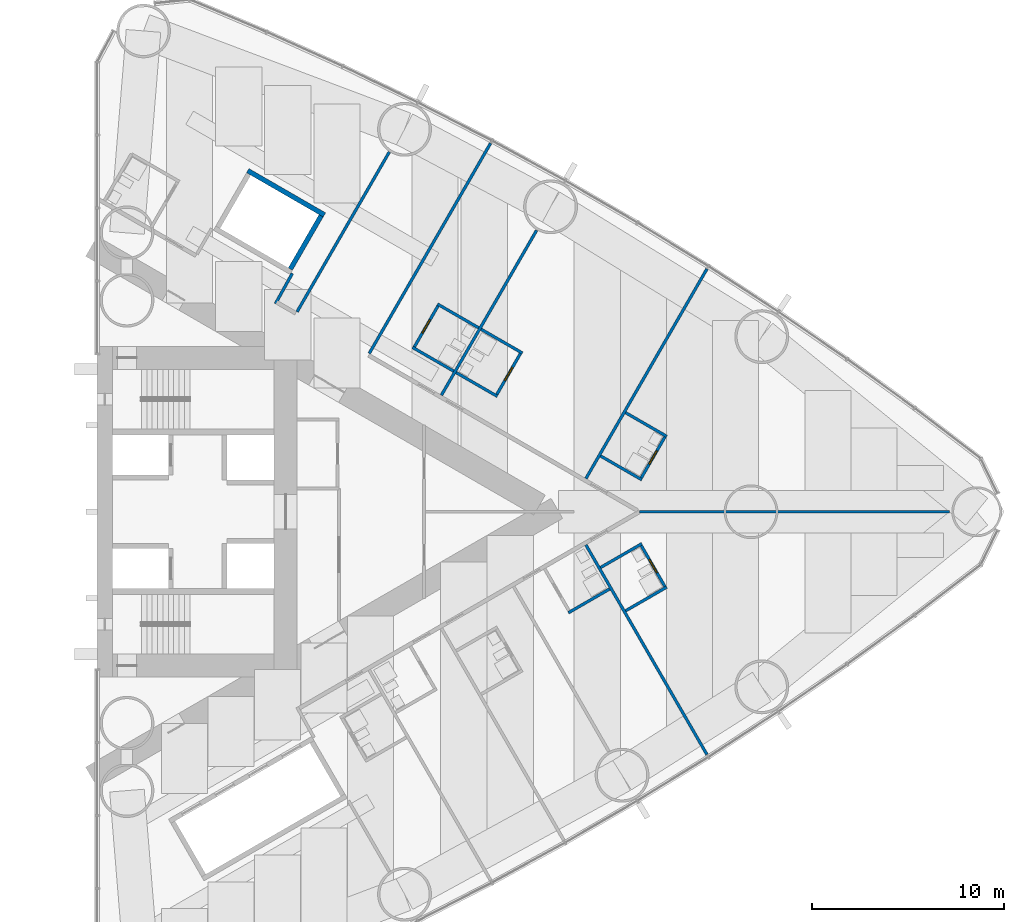
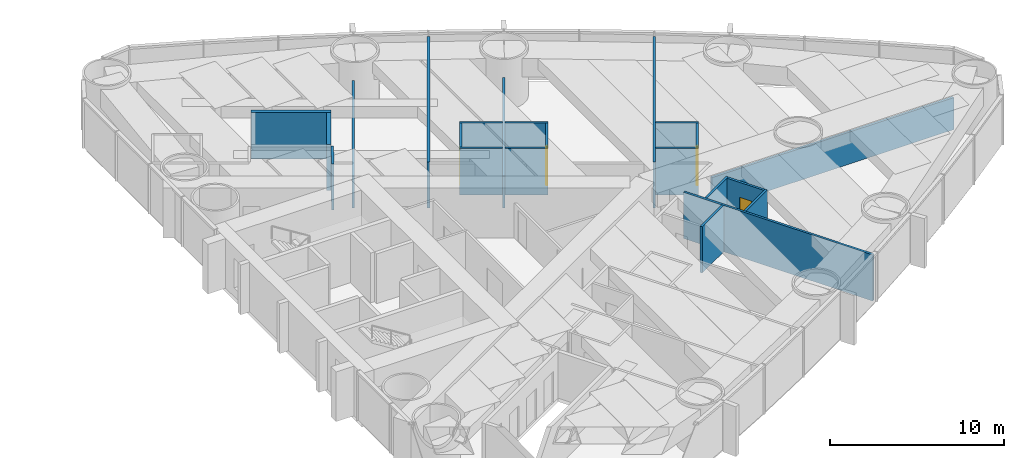
# One storey, part 16 of 19: 22 walls, 4 doors, 4 openings.
"""IFC4 building model written with IfcOpenShell, lengths in metres."""

from ifc_helpers import new_model, si_unit, direction, frame, frame_2d, origin, place, context, subcontext, project, spatial, rectangle, extrude, material, layer, layer_set, type_object, element, fill, save


model = new_model("IFC4")

# Units and contexts
model_context = context("Model", 3, precision=1e-05, world=origin(), true_north=direction((0.0, 1.0)))
body_context = subcontext(model_context, "Body", "Model", "MODEL_VIEW")
ifc_project = project(units=[si_unit("LENGTHUNIT", "METRE"), si_unit("AREAUNIT", "SQUARE_METRE"), si_unit("VOLUMEUNIT", "CUBIC_METRE"), si_unit("PLANEANGLEUNIT", "RADIAN"), si_unit("MASSUNIT", "GRAM", prefix="KILO")], contexts=[model_context])

# Site, building, storey
site_placement = place(None, origin())
site = spatial("IfcSite", under=ifc_project, at=site_placement, CompositionType="ELEMENT")
building_placement = place(site_placement, origin())
building = spatial("IfcBuilding", under=site, at=building_placement, Name="Lancet Gate Hotel", CompositionType="ELEMENT")
storey_placement = place(building_placement, frame((0.0, 0.0, 63.5)))
storey = spatial("IfcBuildingStorey", under=building, at=storey_placement, Name="L16", CompositionType="ELEMENT", Elevation=63.5)

# Walls
ifc_material_1 = material(Name="Moisture resistant board partition")
ifc_layer_1 = layer(ifc_material_1, 0.14990234375)
ifc_layer_set_1 = layer_set([ifc_layer_1], Name="Bathroom wall 150")
wall_type_1 = type_object("IfcWallType", Name="Bathroom wall 150", PredefinedType="PARTITIONING", material=ifc_layer_set_1)
for number, where, z_axis, x_axis, name in (
    (1, (52.00634765625, -5.25146484375, 0.0), (0.0, 0.0, 1.0), (0.866006523861, 0.500032699561, 0.0), "T2 bathroom wall 150 L16"),
    (2, (54.979736328125, -5.1513671875, 0.0), (0.0, 0.0, 1.0), (0.86604923931, 0.499958713387, 0.0), "T2 bathroom wall 150 L16"),
):
    element("IfcWall", number, at=place(storey_placement, frame(where, z_axis=z_axis, x_axis=x_axis)), inside=storey, type_object=wall_type_1, Name=name, PredefinedType="PARTITIONING", context=body_context, shape_type="SweptSolid", body=[
        extrude(rectangle(XDim=2.474853515625, YDim=0.14990234375, at=frame_2d((1.2373046875, 0.0))), origin(), (0.0, 0.0, 1.0), 3.25),
    ])

# Wall, opening, door
wall_1_placement = place(storey_placement, frame((55.758056640625, -1.69970703125, 0.0), z_axis=(0.0, 0.0, 1.0), x_axis=(0.500006934395, -0.866021400173, 0.0)))
wall_1 = element("IfcWall", 3, at=wall_1_placement, inside=storey, type_object=wall_type_1, Name="T2 bathroom wall 150 L16", PredefinedType="PARTITIONING", context=body_context, shape_type="SweptSolid", body=[
    extrude(rectangle(XDim=2.60009765625, YDim=0.14990234375, at=frame_2d((1.300048828125, 0.0))), origin(), (0.0, 0.0, 1.0), 3.25),
])
opening_1_placement = place(wall_1_placement, frame((0.89990234375, 0.0, 0.0)))
opening_1 = element("IfcOpeningElement", 4, at=opening_1_placement, cuts=wall_1, Name="Opening 1657-B", PredefinedType="OPENING", context=body_context, shape_type="SweptSolid", body=[
    extrude(rectangle(XDim=0.800048828125, YDim=2.199951171875, at=frame_2d((0.39990234375, 1.10009765625))), frame((0.0, 0.0849609375, 0.0), z_axis=(0.0, -1.0, 0.0), x_axis=(1.0, 0.0, 0.0)), (0.0, 0.0, 1.0), 0.169921875),
])
ifc_material_2 = material(Name="Timber door set", Category="wood")
door_type = type_object("IfcDoorType", Name="Bathroom door 800", OperationType="SINGLE_SWING_RIGHT", PredefinedType="DOOR", material=ifc_material_2)
door_1_placement = place(opening_1_placement, origin())
door_1 = element("IfcDoor", 5, at=door_1_placement, inside=storey, type_object=door_type, Name="1657-B", OperationType="SINGLE_SWING_RIGHT", OverallHeight=2.199951171875, OverallWidth=0.800048828125, PredefinedType="DOOR", context=body_context, shape_type="SweptSolid", body=[
    extrude(rectangle(XDim=0.800048828125, YDim=2.199951171875, at=frame_2d((0.39990234375, 1.10009765625))), frame((0.0, 0.02490234375, 0.0), z_axis=(0.0, -1.0, 0.0), x_axis=(1.0, 0.0, 0.0)), (0.0, 0.0, 1.0), 0.050048828125),
])
fill(opening_1, door_1)

# Walls
for number, where, z_axis, x_axis, name in (
    (6, (53.6796875, -2.89990234375, 0.0), (0.0, 0.0, 1.0), (0.866006523861, 0.500032699561, 0.0), "T2 bathroom wall 150 L16"),
    (7, (54.979736328125, 5.1513671875, 0.0), (0.0, 0.0, 1.0), (0.86604923931, -0.499958713387, 0.0), "T2 bathroom wall 150 L16"),
):
    element("IfcWall", number, at=place(storey_placement, frame(where, z_axis=z_axis, x_axis=x_axis)), inside=storey, type_object=wall_type_1, Name=name, PredefinedType="PARTITIONING", context=body_context, shape_type="SweptSolid", body=[
        extrude(rectangle(XDim=2.474853515625, YDim=0.14990234375, at=frame_2d((1.2373046875, 0.0))), origin(), (0.0, 0.0, 1.0), 3.25),
    ])

# Wall, opening, door
wall_2_placement = place(storey_placement, frame((55.758056640625, 1.69970703125, 0.0), z_axis=(0.0, 0.0, 1.0), x_axis=(0.500006934395, 0.866021400173, 0.0)))
wall_2 = element("IfcWall", 8, at=wall_2_placement, inside=storey, type_object=wall_type_1, Name="T2 bathroom wall 150 L16", PredefinedType="PARTITIONING", context=body_context, shape_type="SweptSolid", body=[
    extrude(rectangle(XDim=2.60009765625, YDim=0.14990234375, at=frame_2d((1.300048828125, 0.0))), origin(), (0.0, 0.0, 1.0), 3.25),
])
opening_2_placement = place(wall_2_placement, frame((0.89990234375, 0.0, 0.0)))
opening_2 = element("IfcOpeningElement", 9, at=opening_2_placement, cuts=wall_2, Name="Opening 1658-B", PredefinedType="OPENING", context=body_context, shape_type="SweptSolid", body=[
    extrude(rectangle(XDim=0.800048828125, YDim=2.199951171875, at=frame_2d((0.39990234375, 1.10009765625))), frame((0.0, 0.0849609375, 0.0), z_axis=(0.0, -1.0, 0.0), x_axis=(1.0, 0.0, 0.0)), (0.0, 0.0, 1.0), 0.169921875),
])
door_2_placement = place(opening_2_placement, origin())
door_2 = element("IfcDoor", 10, at=door_2_placement, inside=storey, type_object=door_type, Name="1658-B", OperationType="SINGLE_SWING_RIGHT", OverallHeight=2.199951171875, OverallWidth=0.800048828125, PredefinedType="DOOR", context=body_context, shape_type="SweptSolid", body=[
    extrude(rectangle(XDim=0.800048828125, YDim=2.199951171875, at=frame_2d((0.39990234375, 1.10009765625))), frame((0.0, 0.02490234375, 0.0), z_axis=(0.0, -1.0, 0.0), x_axis=(1.0, 0.0, 0.0)), (0.0, 0.0, 1.0), 0.050048828125),
])
fill(opening_2, door_2)

# Walls
wall_3_placement = place(storey_placement, frame((53.6796875, 2.89990234375, 0.0), z_axis=(0.0, 0.0, 1.0), x_axis=(0.866006523861, -0.500032699561, 0.0)))
element("IfcWall", 11, at=wall_3_placement, inside=storey, type_object=wall_type_1, Name="T2 bathroom wall 150 L16", PredefinedType="PARTITIONING", context=body_context, shape_type="SweptSolid", body=[
    extrude(rectangle(XDim=2.474853515625, YDim=0.14990234375, at=frame_2d((1.2373046875, 0.0))), origin(), (0.0, 0.0, 1.0), 3.25),
])
wall_4_placement = place(storey_placement, frame((47.4677734375, 9.48828125, 0.0), z_axis=(0.0, 0.0, 1.0), x_axis=(0.866073894602, -0.499916002032, 0.0)))
element("IfcWall", 12, at=wall_4_placement, inside=storey, type_object=wall_type_1, Name="T2 bathroom wall 150 L16", PredefinedType="PARTITIONING", context=body_context, shape_type="SweptSolid", body=[
    extrude(rectangle(XDim=2.47509765625, YDim=0.14990234375, at=frame_2d((1.237548828125, 0.0))), origin(), (0.0, 0.0, 1.0), 3.25),
])

# Wall, opening, door
wall_5_placement = place(storey_placement, frame((48.246337890625, 6.03662109375, 0.0), z_axis=(0.0, 0.0, 1.0), x_axis=(0.500006934395, 0.866021400173, 0.0)))
wall_5 = element("IfcWall", 13, at=wall_5_placement, inside=storey, type_object=wall_type_1, Name="T2 bathroom wall 150 L16", PredefinedType="PARTITIONING", context=body_context, shape_type="SweptSolid", body=[
    extrude(rectangle(XDim=2.60009765625, YDim=0.14990234375, at=frame_2d((1.300048828125, 0.0))), origin(), (0.0, 0.0, 1.0), 3.25),
])
opening_3_placement = place(wall_5_placement, frame((0.89990234375, 0.0, 0.0)))
opening_3 = element("IfcOpeningElement", 14, at=opening_3_placement, cuts=wall_5, Name="Opening 1659-B", PredefinedType="OPENING", context=body_context, shape_type="SweptSolid", body=[
    extrude(rectangle(XDim=0.800048828125, YDim=2.199951171875, at=frame_2d((0.39990234375, 1.10009765625))), frame((0.0, 0.0849609375, 0.0), z_axis=(0.0, -1.0, 0.0), x_axis=(1.0, 0.0, 0.0)), (0.0, 0.0, 1.0), 0.169921875),
])
door_3_placement = place(opening_3_placement, origin())
door_3 = element("IfcDoor", 15, at=door_3_placement, inside=storey, type_object=door_type, Name="1659-B", OperationType="SINGLE_SWING_RIGHT", OverallHeight=2.199951171875, OverallWidth=0.800048828125, PredefinedType="DOOR", context=body_context, shape_type="SweptSolid", body=[
    extrude(rectangle(XDim=0.800048828125, YDim=2.199951171875, at=frame_2d((0.39990234375, 1.10009765625))), frame((0.0, 0.02490234375, 0.0), z_axis=(0.0, -1.0, 0.0), x_axis=(1.0, 0.0, 0.0)), (0.0, 0.0, 1.0), 0.050048828125),
])
fill(opening_3, door_3)

# Walls
for number, where, z_axis, x_axis, name in (
    (16, (46.16796875, 7.23681640625, 0.0), (0.0, 0.0, 1.0), (0.866006523861, -0.500032699561, 0.0), "T2 bathroom wall 150 L16"),
    (17, (45.194580078125, 10.80078125, 0.0), (0.0, 0.0, 1.0), (0.86604923931, -0.499958713387, 0.0), "T2 bathroom wall 150 L16"),
):
    element("IfcWall", number, at=place(storey_placement, frame(where, z_axis=z_axis, x_axis=x_axis)), inside=storey, type_object=wall_type_1, Name=name, PredefinedType="PARTITIONING", context=body_context, shape_type="SweptSolid", body=[
        extrude(rectangle(XDim=2.474853515625, YDim=0.14990234375, at=frame_2d((1.2373046875, 0.0))), origin(), (0.0, 0.0, 1.0), 3.25),
    ])

# Wall, opening, door
wall_6_placement = place(storey_placement, frame((43.95947265625, 8.51171875, 0.0), z_axis=(0.0, 0.0, 1.0), x_axis=(0.500006934395, 0.866021400173, 0.0)))
wall_6 = element("IfcWall", 18, at=wall_6_placement, inside=storey, type_object=wall_type_1, Name="T2 bathroom wall 150 L16", PredefinedType="PARTITIONING", context=body_context, shape_type="SweptSolid", body=[
    extrude(rectangle(XDim=2.60009765625, YDim=0.14990234375, at=frame_2d((1.300048828125, 0.0))), origin(), (0.0, 0.0, 1.0), 3.25),
])
opening_4_placement = place(wall_6_placement, frame((0.89990234375, 0.0, 0.0)))
opening_4 = element("IfcOpeningElement", 19, at=opening_4_placement, cuts=wall_6, Name="Opening 1661-B", PredefinedType="OPENING", context=body_context, shape_type="SweptSolid", body=[
    extrude(rectangle(XDim=0.800048828125, YDim=2.199951171875, at=frame_2d((0.39990234375, 1.10009765625))), frame((0.0, 0.0849609375, 0.0), z_axis=(0.0, -1.0, 0.0), x_axis=(1.0, 0.0, 0.0)), (0.0, 0.0, 1.0), 0.169921875),
])
door_4_placement = place(opening_4_placement, origin())
door_4 = element("IfcDoor", 20, at=door_4_placement, inside=storey, type_object=door_type, Name="1661-B", OperationType="SINGLE_SWING_RIGHT", OverallHeight=2.199951171875, OverallWidth=0.800048828125, PredefinedType="DOOR", context=body_context, shape_type="SweptSolid", body=[
    extrude(rectangle(XDim=0.800048828125, YDim=2.199951171875, at=frame_2d((0.39990234375, 1.10009765625))), frame((0.0, 0.02490234375, 0.0), z_axis=(0.0, -1.0, 0.0), x_axis=(1.0, 0.0, 0.0)), (0.0, 0.0, 1.0), 0.050048828125),
])
fill(opening_4, door_4)

# Walls
wall_7_placement = place(storey_placement, frame((43.89453125, 8.54931640625, 0.0), z_axis=(0.0, 0.0, 1.0), x_axis=(0.866031185235, -0.4999899861, 0.0)))
element("IfcWall", 21, at=wall_7_placement, inside=storey, type_object=wall_type_1, Name="T2 bathroom wall 150 L16", PredefinedType="PARTITIONING", context=body_context, shape_type="SweptSolid", body=[
    extrude(rectangle(XDim=2.47509765625, YDim=0.14990234375, at=frame_2d((1.237548828125, 0.0))), origin(), (0.0, 0.0, 1.0), 3.25),
])
ifc_material_3 = material(Name="Gypsum board partition")
ifc_layer_2 = layer(ifc_material_3, 0.25)
ifc_layer_set_2 = layer_set([ifc_layer_2], Name="Lift shaft partition 250")
wall_type_2 = type_object("IfcWallType", Name="Lift shaft partition 250", PredefinedType="PARTITIONING", material=ifc_layer_set_2)
wall_8_placement = place(storey_placement, frame((35.33349609375, 17.73583984375, 0.0), z_axis=(0.0, 0.0, 1.0), x_axis=(0.866043305498, -0.49996899204, 0.0)))
element("IfcWall", 22, at=wall_8_placement, inside=storey, type_object=wall_type_2, Name="T2 lift shaft wall EX L16", PredefinedType="PARTITIONING", context=body_context, shape_type="SweptSolid", body=[
    extrude(rectangle(XDim=4.600341796875, YDim=0.25, at=frame_2d((2.30029296875, 0.0))), origin(), (0.0, 0.0, 1.0), 3.25),
])
wall_9_placement = place(storey_placement, frame((37.546630859375, 12.617919921875, 0.0), z_axis=(0.0, 0.0, 1.0), x_axis=(0.499929347863, 0.866066190972, 0.0)))
element("IfcWall", 23, at=wall_9_placement, inside=storey, type_object=wall_type_2, Name="T2 lift shaft wall EX L16", PredefinedType="PARTITIONING", context=body_context, shape_type="SweptSolid", body=[
    extrude(rectangle(XDim=3.20068359375, YDim=0.25, at=frame_2d((1.600341796875, 0.0))), origin(), (0.0, 0.0, 1.0), 3.25),
])
ifc_material_4 = material(Name="Gypsum board partition")
ifc_layer_3 = layer(ifc_material_4, 0.14990234375)
ifc_layer_set_3 = layer_set([ifc_layer_3], Name="Party wall 150")
wall_type_3 = type_object("IfcWallType", Name="Party wall 150", PredefinedType="PARTITIONING", material=ifc_layer_set_3)
wall_10_placement = place(storey_placement, frame((52.914794921875, -1.724853515625, 0.0), z_axis=(0.0, 0.0, 1.0), x_axis=(0.499997163113, -0.866027041656, 0.0)))
element("IfcWall", 24, at=wall_10_placement, inside=storey, type_object=wall_type_3, Name="T2 party wall 150 L16", PredefinedType="PARTITIONING", context=body_context, shape_type="SweptSolid", body=[
    extrude(rectangle(XDim=12.5908203125, YDim=0.14990234375, at=frame_2d((6.29541015625, 0.0))), origin(), (0.0, 0.0, 1.0), 3.25),
])
wall_11_placement = place(storey_placement, frame((37.895263671875, 10.396484375, 0.0), z_axis=(0.0, 0.0, 1.0), x_axis=(0.499995616528, 0.866027934568, 0.0)))
element("IfcWall", 25, at=wall_11_placement, inside=storey, type_object=wall_type_3, Name="T2 party wall 150 L16", PredefinedType="PARTITIONING", context=body_context, shape_type="SweptSolid", body=[
    extrude(rectangle(XDim=9.59326171875, YDim=0.14990234375, at=frame_2d((4.796630859375, 0.0))), origin(), (0.0, 0.0, 1.0), 2.25),
])
wall_12_placement = place(storey_placement, frame((41.6474609375, 8.22998046875, 0.0), z_axis=(0.0, 0.0, 1.0), x_axis=(0.49998590462, 0.866033541603, 0.0)))
element("IfcWall", 26, at=wall_12_placement, inside=storey, type_object=wall_type_3, Name="T2 party wall 150 L16", PredefinedType="PARTITIONING", context=body_context, shape_type="SweptSolid", body=[
    extrude(rectangle(XDim=12.620849609375, YDim=0.14990234375, at=frame_2d((6.310546875, 0.0))), origin(), (0.0, 0.0, 1.0), 3.25),
])
wall_13_placement = place(storey_placement, frame((45.40283203125, 6.061767578125, 0.0), z_axis=(0.0, 0.0, 1.0), x_axis=(0.500013434677, 0.866017647131, 0.0)))
element("IfcWall", 27, at=wall_13_placement, inside=storey, type_object=wall_type_3, Name="T2 party wall 150 L16", PredefinedType="PARTITIONING", context=body_context, shape_type="SweptSolid", body=[
    extrude(rectangle(XDim=9.901611328125, YDim=0.14990234375, at=frame_2d((4.95068359375, 0.0))), origin(), (0.0, 0.0, 1.0), 2.25),
])
wall_14_placement = place(storey_placement, frame((52.914794921875, 1.724853515625, 0.0), z_axis=(0.0, 0.0, 1.0), x_axis=(0.499997163113, 0.866027041656, 0.0)))
element("IfcWall", 28, at=wall_14_placement, inside=storey, type_object=wall_type_3, Name="T2 party wall 150 L16", PredefinedType="PARTITIONING", context=body_context, shape_type="SweptSolid", body=[
    extrude(rectangle(XDim=12.5908203125, YDim=0.14990234375, at=frame_2d((6.29541015625, 0.0))), origin(), (0.0, 0.0, 1.0), 3.25),
])
wall_15_placement = place(storey_placement, frame((55.7021484375, 0.0, 0.0), z_axis=(0.0, 0.0, 1.0), x_axis=(1.0, 0.0, 0.0)))
element("IfcWall", 29, at=wall_15_placement, inside=storey, type_object=wall_type_3, Name="T2 party wall 150 L16", PredefinedType="PARTITIONING", context=body_context, shape_type="SweptSolid", body=[
    extrude(rectangle(XDim=16.116943359375, YDim=0.14990234375, at=frame_2d((8.05859375, 0.0))), origin(), (0.0, 0.0, 1.0), 2.25),
])
ifc_material_5 = material(Name="Gypsum board partition")
ifc_layer_4 = layer(ifc_material_5, 0.14990234375)
ifc_layer_set_4 = layer_set([ifc_layer_4], Name="Service room wall 150")
wall_type_4 = type_object("IfcWallType", Name="Service room wall 150", PredefinedType="PARTITIONING", material=ifc_layer_set_4)
wall_16_placement = place(storey_placement, frame((36.77099609375, 10.814453125, 0.0), z_axis=(0.0, 0.0, 1.0), x_axis=(0.485585508183, 0.874189175317, 0.0)))
element("IfcWall", 30, at=wall_16_placement, inside=storey, type_object=wall_type_4, Name="T2 service room wall 150 L16", PredefinedType="PARTITIONING", context=body_context, shape_type="SweptSolid", body=[
    extrude(rectangle(XDim=1.804931640625, YDim=0.14990234375, at=frame_2d((0.90234375, 0.0))), origin(), (0.0, 0.0, 1.0), 3.25),
])

save(model, "model.ifc")
